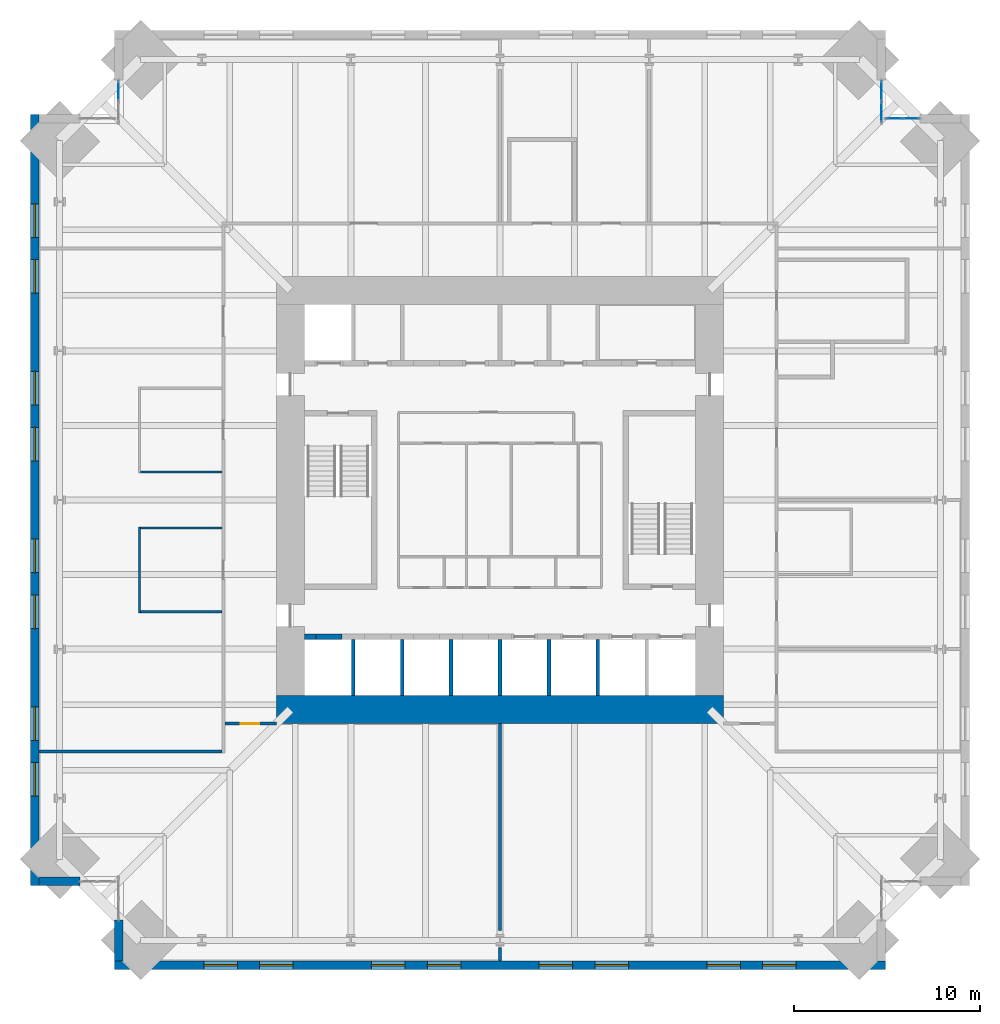
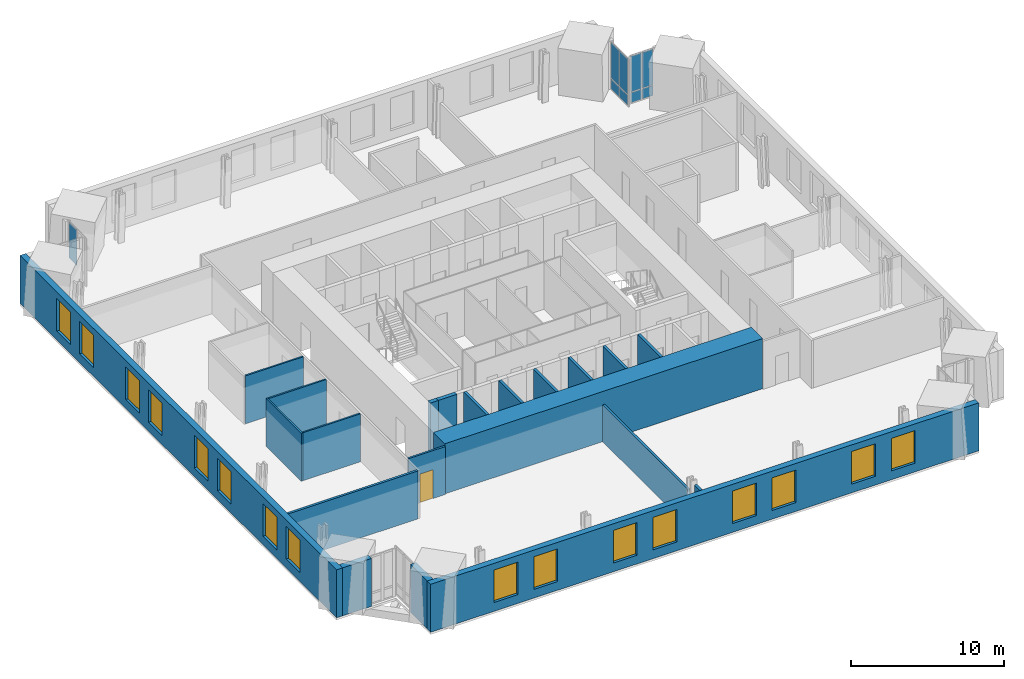
# One storey, part 10 of 15: 21 walls, 16 windows, 9 plates, 1 door, 17 openings, 3 elements without a shape of their own.
"""IFC4 building model written with IfcOpenShell, lengths in metres."""

from ifc_helpers import new_model, si_unit, direction, frame, frame_2d, origin, origin_2d, place, context, subcontext, project, spatial, rectangle, extrude, material, layer, layer_set, type_object, element, fill, aggregate, save


model = new_model("IFC4")

# Units and contexts
model_context = context("Model", 3, precision=1e-05, world=origin(), true_north=direction((0.0, 1.0)))
body_context = subcontext(model_context, "Body", "Model", "MODEL_VIEW")
ifc_project = project(units=[si_unit("LENGTHUNIT", "METRE"), si_unit("AREAUNIT", "SQUARE_METRE"), si_unit("VOLUMEUNIT", "CUBIC_METRE"), si_unit("PLANEANGLEUNIT", "RADIAN"), si_unit("MASSUNIT", "GRAM", prefix="KILO")], contexts=[model_context])

# Site, building, storey
site_placement = place(None, origin())
site = spatial("IfcSite", under=ifc_project, at=site_placement, CompositionType="ELEMENT")
building_placement = place(site_placement, origin())
building = spatial("IfcBuilding", under=site, at=building_placement, Name="Peilmerk Tower", CompositionType="ELEMENT")
storey_placement = place(building_placement, frame((0.0, 0.0, 179.800048828125)))
storey = spatial("IfcBuildingStorey", under=building, at=storey_placement, Name="L38", CompositionType="ELEMENT", Elevation=179.800048828125)

# Curtain wall, plates
ifc_material_1 = material(Name="Aluminium stick curtain wall", Category="aluminium")
curtain_wall_type = type_object("IfcCurtainWallType", Name="CW3 stick curtain wall, 2250 module", PredefinedType="NOTDEFINED", material=ifc_material_1)
curtain_wall_1_placement = place(storey_placement, origin())
curtain_wall_1 = element("IfcCurtainWall", 1, at=curtain_wall_1_placement, inside=storey, type_object=curtain_wall_type, Name="Curtain wall CW3 NEA L38", PredefinedType="NOTDEFINED")
ifc_material_2 = material(Name="Clear insulated glazing unit", Category="glass")
ifc_layer_1 = layer(ifc_material_2, 0.028076171875)
ifc_layer_set_1 = layer_set([ifc_layer_1], Name="Clear insulated glazing unit")
plate_type = type_object("IfcPlateType", Name="CW3-P 28 glazed panel", PredefinedType="CURTAIN_PANEL", material=ifc_layer_set_1)
plate_1_placement = place(storey_placement, frame((20.47509765625, 20.83837890625, 0.06494140625), z_axis=(0.0, 0.0, 1.0), x_axis=(0.0, 1.0, 0.0)))
plate_1 = element("IfcPlate", 2, at=plate_1_placement, type_object=plate_type, Name="CW3 panel 1.1", PredefinedType="CURTAIN_PANEL", context=body_context, shape_type="SweptSolid", body=[
    extrude(rectangle(XDim=1.046875, YDim=0.028076171875, at=origin_2d()), origin(), (0.0, 0.0, 1.0), 0.802490234375),
])
plate_2_placement = place(storey_placement, frame((20.47509765625, 20.83837890625, 0.932373046875), z_axis=(0.0, 0.0, 1.0), x_axis=(0.0, 1.0, 0.0)))
plate_2 = element("IfcPlate", 3, at=plate_2_placement, type_object=plate_type, Name="CW3 panel 1.2", PredefinedType="CURTAIN_PANEL", context=body_context, shape_type="SweptSolid", body=[
    extrude(rectangle(XDim=1.046875, YDim=0.028076171875, at=origin_2d()), origin(), (0.0, 0.0, 1.0), 2.83251953125),
])
plate_3_placement = place(storey_placement, frame((20.47509765625, 21.9501953125, 0.06494140625), z_axis=(0.0, 0.0, 1.0), x_axis=(0.0, 1.0, 0.0)))
plate_3 = element("IfcPlate", 4, at=plate_3_placement, type_object=plate_type, Name="CW3 panel 2.1", PredefinedType="CURTAIN_PANEL", context=body_context, shape_type="SweptSolid", body=[
    extrude(rectangle(XDim=1.046875, YDim=0.028076171875, at=origin_2d()), origin(), (0.0, 0.0, 1.0), 0.802490234375),
])
plate_4_placement = place(storey_placement, frame((20.47509765625, 21.9501953125, 0.932373046875), z_axis=(0.0, 0.0, 1.0), x_axis=(0.0, 1.0, 0.0)))
plate_4 = element("IfcPlate", 5, at=plate_4_placement, type_object=plate_type, Name="CW3 panel 2.2", PredefinedType="CURTAIN_PANEL", context=body_context, shape_type="SweptSolid", body=[
    extrude(rectangle(XDim=1.046875, YDim=0.028076171875, at=origin_2d()), origin(), (0.0, 0.0, 1.0), 2.83251953125),
])
aggregate(curtain_wall_1, [plate_1, plate_2, plate_3, plate_4])

curtain_wall_2_placement = place(storey_placement, origin())
curtain_wall_2 = element("IfcCurtainWall", 6, at=curtain_wall_2_placement, inside=storey, type_object=curtain_wall_type, Name="Curtain wall CW3 NEB L38", PredefinedType="NOTDEFINED")
plate_5_placement = place(storey_placement, frame((21.176025390625, 20.47509765625, 0.06494140625), z_axis=(0.0, 0.0, 1.0), x_axis=(1.0, 0.0, 0.0)))
plate_5 = element("IfcPlate", 7, at=plate_5_placement, type_object=plate_type, Name="CW3 panel 1.1", PredefinedType="CURTAIN_PANEL", context=body_context, shape_type="SweptSolid", body=[
    extrude(rectangle(XDim=0.82177734375, YDim=0.028076171875, at=origin_2d()), origin(), (0.0, 0.0, 1.0), 0.802490234375),
])
plate_6_placement = place(storey_placement, frame((21.176025390625, 20.47509765625, 0.932373046875), z_axis=(0.0, 0.0, 1.0), x_axis=(1.0, 0.0, 0.0)))
plate_6 = element("IfcPlate", 8, at=plate_6_placement, type_object=plate_type, Name="CW3 panel 1.2", PredefinedType="CURTAIN_PANEL", context=body_context, shape_type="SweptSolid", body=[
    extrude(rectangle(XDim=0.82177734375, YDim=0.028076171875, at=origin_2d()), origin(), (0.0, 0.0, 1.0), 2.83251953125),
])
plate_7_placement = place(storey_placement, frame((22.062744140625, 20.47509765625, 0.06494140625), z_axis=(0.0, 0.0, 1.0), x_axis=(1.0, 0.0, 0.0)))
plate_7 = element("IfcPlate", 9, at=plate_7_placement, type_object=plate_type, Name="CW3 panel 2.1", PredefinedType="CURTAIN_PANEL", context=body_context, shape_type="SweptSolid", body=[
    extrude(rectangle(XDim=0.82177734375, YDim=0.028076171875, at=origin_2d()), origin(), (0.0, 0.0, 1.0), 0.802490234375),
])
plate_8_placement = place(storey_placement, frame((22.062744140625, 20.47509765625, 0.932373046875), z_axis=(0.0, 0.0, 1.0), x_axis=(1.0, 0.0, 0.0)))
plate_8 = element("IfcPlate", 10, at=plate_8_placement, type_object=plate_type, Name="CW3 panel 2.2", PredefinedType="CURTAIN_PANEL", context=body_context, shape_type="SweptSolid", body=[
    extrude(rectangle(XDim=0.82177734375, YDim=0.028076171875, at=origin_2d()), origin(), (0.0, 0.0, 1.0), 2.83251953125),
])
aggregate(curtain_wall_2, [plate_5, plate_6, plate_7, plate_8])

# Curtain wall, plate
curtain_wall_3_placement = place(storey_placement, origin())
curtain_wall_3 = element("IfcCurtainWall", 11, at=curtain_wall_3_placement, inside=storey, type_object=curtain_wall_type, Name="Curtain wall CW3 NWA L38", PredefinedType="NOTDEFINED")
plate_9_placement = place(storey_placement, frame((-20.47509765625, 21.9501953125, 0.932373046875), z_axis=(0.0, 0.0, 1.0), x_axis=(0.0, 1.0, 0.0)))
plate_9 = element("IfcPlate", 12, at=plate_9_placement, type_object=plate_type, Name="CW3 panel 2.2", PredefinedType="CURTAIN_PANEL", context=body_context, shape_type="SweptSolid", body=[
    extrude(rectangle(XDim=1.046875, YDim=0.028076171875, at=origin_2d()), origin(), (0.0, 0.0, 1.0), 2.83251953125),
])
aggregate(curtain_wall_3, [plate_9])

# Wall, openings, windows
ifc_material_3 = material(Name="Precast concrete C45/55, board-marked finish", Category="concrete")
ifc_layer_2 = layer(ifc_material_3, 0.449951171875)
ifc_layer_set_2 = layer_set([ifc_layer_2], Name="Precast concrete C45/55, board-marked finish")
wall_type_1 = type_object("IfcWallType", Name="EW1 450 precast concrete facade wall, board-marked", PredefinedType="SOLIDWALL", material=ifc_layer_set_2)
wall_1_placement = place(storey_placement, frame((-20.699951171875, -24.97509765625, 0.0), z_axis=(0.0, 0.0, 1.0), x_axis=(1.0, 0.0, 0.0)))
wall_1 = element("IfcWall", 13, at=wall_1_placement, inside=storey, type_object=wall_type_1, Name="Facade wall S L38", PredefinedType="SOLIDWALL", context=body_context, shape_type="SweptSolid", body=[
    extrude(rectangle(XDim=41.39990234375, YDim=0.449951171875, at=frame_2d((20.699951171875, 0.0))), origin(), (0.0, 0.0, 1.0), 3.829833984375),
])
opening_1_placement = place(wall_1_placement, frame((4.800048828125, 0.0, 0.699951171875)))
opening_1 = element("IfcOpeningElement", 14, at=opening_1_placement, cuts=wall_1, Name="Opening W1", PredefinedType="OPENING", context=body_context, shape_type="SweptSolid", body=[
    extrude(rectangle(XDim=1.800048828125, YDim=2.60009765625, at=frame_2d((0.89990234375, 1.300048828125))), frame((0.0, 0.23486328125, 0.0), z_axis=(0.0, -1.0, 0.0), x_axis=(1.0, 0.0, 0.0)), (0.0, 0.0, 1.0), 0.469970703125),
])
opening_2_placement = place(wall_1_placement, frame((7.800048828125, 0.0, 0.699951171875)))
opening_2 = element("IfcOpeningElement", 15, at=opening_2_placement, cuts=wall_1, Name="Opening W1", PredefinedType="OPENING", context=body_context, shape_type="SweptSolid", body=[
    extrude(rectangle(XDim=1.800048828125, YDim=2.60009765625, at=frame_2d((0.89990234375, 1.300048828125))), frame((0.0, 0.23486328125, 0.0), z_axis=(0.0, -1.0, 0.0), x_axis=(1.0, 0.0, 0.0)), (0.0, 0.0, 1.0), 0.469970703125),
])
opening_3_placement = place(wall_1_placement, frame((13.800048828125, 0.0, 0.699951171875)))
opening_3 = element("IfcOpeningElement", 16, at=opening_3_placement, cuts=wall_1, Name="Opening W1", PredefinedType="OPENING", context=body_context, shape_type="SweptSolid", body=[
    extrude(rectangle(XDim=1.800048828125, YDim=2.60009765625, at=frame_2d((0.89990234375, 1.300048828125))), frame((0.0, 0.23486328125, 0.0), z_axis=(0.0, -1.0, 0.0), x_axis=(1.0, 0.0, 0.0)), (0.0, 0.0, 1.0), 0.469970703125),
])
opening_4_placement = place(wall_1_placement, frame((16.800048828125, 0.0, 0.699951171875)))
opening_4 = element("IfcOpeningElement", 17, at=opening_4_placement, cuts=wall_1, Name="Opening W1", PredefinedType="OPENING", context=body_context, shape_type="SweptSolid", body=[
    extrude(rectangle(XDim=1.800048828125, YDim=2.60009765625, at=frame_2d((0.89990234375, 1.300048828125))), frame((0.0, 0.23486328125, 0.0), z_axis=(0.0, -1.0, 0.0), x_axis=(1.0, 0.0, 0.0)), (0.0, 0.0, 1.0), 0.469970703125),
])
opening_5_placement = place(wall_1_placement, frame((22.800048828125, 0.0, 0.699951171875)))
opening_5 = element("IfcOpeningElement", 18, at=opening_5_placement, cuts=wall_1, Name="Opening W1", PredefinedType="OPENING", context=body_context, shape_type="SweptSolid", body=[
    extrude(rectangle(XDim=1.800048828125, YDim=2.60009765625, at=frame_2d((0.89990234375, 1.300048828125))), frame((0.0, 0.23486328125, 0.0), z_axis=(0.0, -1.0, 0.0), x_axis=(1.0, 0.0, 0.0)), (0.0, 0.0, 1.0), 0.469970703125),
])
opening_6_placement = place(wall_1_placement, frame((25.800048828125, 0.0, 0.699951171875)))
opening_6 = element("IfcOpeningElement", 19, at=opening_6_placement, cuts=wall_1, Name="Opening W1", PredefinedType="OPENING", context=body_context, shape_type="SweptSolid", body=[
    extrude(rectangle(XDim=1.800048828125, YDim=2.60009765625, at=frame_2d((0.89990234375, 1.300048828125))), frame((0.0, 0.23486328125, 0.0), z_axis=(0.0, -1.0, 0.0), x_axis=(1.0, 0.0, 0.0)), (0.0, 0.0, 1.0), 0.469970703125),
])
opening_7_placement = place(wall_1_placement, frame((31.800048828125, 0.0, 0.699951171875)))
opening_7 = element("IfcOpeningElement", 20, at=opening_7_placement, cuts=wall_1, Name="Opening W1", PredefinedType="OPENING", context=body_context, shape_type="SweptSolid", body=[
    extrude(rectangle(XDim=1.800048828125, YDim=2.60009765625, at=frame_2d((0.89990234375, 1.300048828125))), frame((0.0, 0.23486328125, 0.0), z_axis=(0.0, -1.0, 0.0), x_axis=(1.0, 0.0, 0.0)), (0.0, 0.0, 1.0), 0.469970703125),
])
opening_8_placement = place(wall_1_placement, frame((34.800048828125, 0.0, 0.699951171875)))
opening_8 = element("IfcOpeningElement", 21, at=opening_8_placement, cuts=wall_1, Name="Opening W1", PredefinedType="OPENING", context=body_context, shape_type="SweptSolid", body=[
    extrude(rectangle(XDim=1.800048828125, YDim=2.60009765625, at=frame_2d((0.89990234375, 1.300048828125))), frame((0.0, 0.23486328125, 0.0), z_axis=(0.0, -1.0, 0.0), x_axis=(1.0, 0.0, 0.0)), (0.0, 0.0, 1.0), 0.469970703125),
])
ifc_material_4 = material(Name="Aluminium frame, clear double glazing", Category="aluminium")
window_type = type_object("IfcWindowType", Name="W1 1800x2600 office window", PartitioningType="SINGLE_PANEL", PredefinedType="WINDOW", material=ifc_material_4)
window_1_placement = place(opening_1_placement, origin())
window_1 = element("IfcWindow", 22, at=window_1_placement, inside=storey, type_object=window_type, Name="Window W1 L38", OverallHeight=2.60009765625, OverallWidth=1.800048828125, PartitioningType="SINGLE_PANEL", PredefinedType="WINDOW", context=body_context, shape_type="SweptSolid", body=[
    extrude(rectangle(XDim=1.800048828125, YDim=2.60009765625, at=frame_2d((0.89990234375, 1.300048828125))), frame((0.0, 0.030029296875, 0.0), z_axis=(0.0, -1.0, 0.0), x_axis=(1.0, 0.0, 0.0)), (0.0, 0.0, 1.0), 0.06005859375),
])
fill(opening_1, window_1)
window_2_placement = place(opening_2_placement, origin())
window_2 = element("IfcWindow", 23, at=window_2_placement, inside=storey, type_object=window_type, Name="Window W1 L38", OverallHeight=2.60009765625, OverallWidth=1.800048828125, PartitioningType="SINGLE_PANEL", PredefinedType="WINDOW", context=body_context, shape_type="SweptSolid", body=[
    extrude(rectangle(XDim=1.800048828125, YDim=2.60009765625, at=frame_2d((0.89990234375, 1.300048828125))), frame((0.0, 0.030029296875, 0.0), z_axis=(0.0, -1.0, 0.0), x_axis=(1.0, 0.0, 0.0)), (0.0, 0.0, 1.0), 0.06005859375),
])
fill(opening_2, window_2)
window_3_placement = place(opening_3_placement, origin())
window_3 = element("IfcWindow", 24, at=window_3_placement, inside=storey, type_object=window_type, Name="Window W1 L38", OverallHeight=2.60009765625, OverallWidth=1.800048828125, PartitioningType="SINGLE_PANEL", PredefinedType="WINDOW", context=body_context, shape_type="SweptSolid", body=[
    extrude(rectangle(XDim=1.800048828125, YDim=2.60009765625, at=frame_2d((0.89990234375, 1.300048828125))), frame((0.0, 0.030029296875, 0.0), z_axis=(0.0, -1.0, 0.0), x_axis=(1.0, 0.0, 0.0)), (0.0, 0.0, 1.0), 0.06005859375),
])
fill(opening_3, window_3)
window_4_placement = place(opening_4_placement, origin())
window_4 = element("IfcWindow", 25, at=window_4_placement, inside=storey, type_object=window_type, Name="Window W1 L38", OverallHeight=2.60009765625, OverallWidth=1.800048828125, PartitioningType="SINGLE_PANEL", PredefinedType="WINDOW", context=body_context, shape_type="SweptSolid", body=[
    extrude(rectangle(XDim=1.800048828125, YDim=2.60009765625, at=frame_2d((0.89990234375, 1.300048828125))), frame((0.0, 0.030029296875, 0.0), z_axis=(0.0, -1.0, 0.0), x_axis=(1.0, 0.0, 0.0)), (0.0, 0.0, 1.0), 0.06005859375),
])
fill(opening_4, window_4)
window_5_placement = place(opening_5_placement, origin())
window_5 = element("IfcWindow", 26, at=window_5_placement, inside=storey, type_object=window_type, Name="Window W1 L38", OverallHeight=2.60009765625, OverallWidth=1.800048828125, PartitioningType="SINGLE_PANEL", PredefinedType="WINDOW", context=body_context, shape_type="SweptSolid", body=[
    extrude(rectangle(XDim=1.800048828125, YDim=2.60009765625, at=frame_2d((0.89990234375, 1.300048828125))), frame((0.0, 0.030029296875, 0.0), z_axis=(0.0, -1.0, 0.0), x_axis=(1.0, 0.0, 0.0)), (0.0, 0.0, 1.0), 0.06005859375),
])
fill(opening_5, window_5)
window_6_placement = place(opening_6_placement, origin())
window_6 = element("IfcWindow", 27, at=window_6_placement, inside=storey, type_object=window_type, Name="Window W1 L38", OverallHeight=2.60009765625, OverallWidth=1.800048828125, PartitioningType="SINGLE_PANEL", PredefinedType="WINDOW", context=body_context, shape_type="SweptSolid", body=[
    extrude(rectangle(XDim=1.800048828125, YDim=2.60009765625, at=frame_2d((0.89990234375, 1.300048828125))), frame((0.0, 0.030029296875, 0.0), z_axis=(0.0, -1.0, 0.0), x_axis=(1.0, 0.0, 0.0)), (0.0, 0.0, 1.0), 0.06005859375),
])
fill(opening_6, window_6)
window_7_placement = place(opening_7_placement, origin())
window_7 = element("IfcWindow", 28, at=window_7_placement, inside=storey, type_object=window_type, Name="Window W1 L38", OverallHeight=2.60009765625, OverallWidth=1.800048828125, PartitioningType="SINGLE_PANEL", PredefinedType="WINDOW", context=body_context, shape_type="SweptSolid", body=[
    extrude(rectangle(XDim=1.800048828125, YDim=2.60009765625, at=frame_2d((0.89990234375, 1.300048828125))), frame((0.0, 0.030029296875, 0.0), z_axis=(0.0, -1.0, 0.0), x_axis=(1.0, 0.0, 0.0)), (0.0, 0.0, 1.0), 0.06005859375),
])
fill(opening_7, window_7)
window_8_placement = place(opening_8_placement, origin())
window_8 = element("IfcWindow", 29, at=window_8_placement, inside=storey, type_object=window_type, Name="Window W1 L38", OverallHeight=2.60009765625, OverallWidth=1.800048828125, PartitioningType="SINGLE_PANEL", PredefinedType="WINDOW", context=body_context, shape_type="SweptSolid", body=[
    extrude(rectangle(XDim=1.800048828125, YDim=2.60009765625, at=frame_2d((0.89990234375, 1.300048828125))), frame((0.0, 0.030029296875, 0.0), z_axis=(0.0, -1.0, 0.0), x_axis=(1.0, 0.0, 0.0)), (0.0, 0.0, 1.0), 0.06005859375),
])
fill(opening_8, window_8)

wall_2_placement = place(storey_placement, frame((-24.97509765625, 20.699951171875, 0.0), z_axis=(0.0, 0.0, 1.0), x_axis=(0.0, -1.0, 0.0)))
wall_2 = element("IfcWall", 30, at=wall_2_placement, inside=storey, type_object=wall_type_1, Name="Facade wall W L38", PredefinedType="SOLIDWALL", context=body_context, shape_type="SweptSolid", body=[
    extrude(rectangle(XDim=41.39990234375, YDim=0.449951171875, at=frame_2d((20.699951171875, 0.0))), origin(), (0.0, 0.0, 1.0), 3.829833984375),
])
opening_9_placement = place(wall_2_placement, frame((4.800048828125, 0.0, 0.699951171875)))
opening_9 = element("IfcOpeningElement", 31, at=opening_9_placement, cuts=wall_2, Name="Opening W1", PredefinedType="OPENING", context=body_context, shape_type="SweptSolid", body=[
    extrude(rectangle(XDim=1.800048828125, YDim=2.60009765625, at=frame_2d((0.89990234375, 1.300048828125))), frame((0.0, 0.23486328125, 0.0), z_axis=(0.0, -1.0, 0.0), x_axis=(1.0, 0.0, 0.0)), (0.0, 0.0, 1.0), 0.469970703125),
])
opening_10_placement = place(wall_2_placement, frame((7.800048828125, 0.0, 0.699951171875)))
opening_10 = element("IfcOpeningElement", 32, at=opening_10_placement, cuts=wall_2, Name="Opening W1", PredefinedType="OPENING", context=body_context, shape_type="SweptSolid", body=[
    extrude(rectangle(XDim=1.800048828125, YDim=2.60009765625, at=frame_2d((0.89990234375, 1.300048828125))), frame((0.0, 0.23486328125, 0.0), z_axis=(0.0, -1.0, 0.0), x_axis=(1.0, 0.0, 0.0)), (0.0, 0.0, 1.0), 0.469970703125),
])
opening_11_placement = place(wall_2_placement, frame((13.800048828125, 0.0, 0.699951171875)))
opening_11 = element("IfcOpeningElement", 33, at=opening_11_placement, cuts=wall_2, Name="Opening W1", PredefinedType="OPENING", context=body_context, shape_type="SweptSolid", body=[
    extrude(rectangle(XDim=1.800048828125, YDim=2.60009765625, at=frame_2d((0.89990234375, 1.300048828125))), frame((0.0, 0.23486328125, 0.0), z_axis=(0.0, -1.0, 0.0), x_axis=(1.0, 0.0, 0.0)), (0.0, 0.0, 1.0), 0.469970703125),
])
opening_12_placement = place(wall_2_placement, frame((16.800048828125, 0.0, 0.699951171875)))
opening_12 = element("IfcOpeningElement", 34, at=opening_12_placement, cuts=wall_2, Name="Opening W1", PredefinedType="OPENING", context=body_context, shape_type="SweptSolid", body=[
    extrude(rectangle(XDim=1.800048828125, YDim=2.60009765625, at=frame_2d((0.89990234375, 1.300048828125))), frame((0.0, 0.23486328125, 0.0), z_axis=(0.0, -1.0, 0.0), x_axis=(1.0, 0.0, 0.0)), (0.0, 0.0, 1.0), 0.469970703125),
])
opening_13_placement = place(wall_2_placement, frame((22.800048828125, 0.0, 0.699951171875)))
opening_13 = element("IfcOpeningElement", 35, at=opening_13_placement, cuts=wall_2, Name="Opening W1", PredefinedType="OPENING", context=body_context, shape_type="SweptSolid", body=[
    extrude(rectangle(XDim=1.800048828125, YDim=2.60009765625, at=frame_2d((0.89990234375, 1.300048828125))), frame((0.0, 0.23486328125, 0.0), z_axis=(0.0, -1.0, 0.0), x_axis=(1.0, 0.0, 0.0)), (0.0, 0.0, 1.0), 0.469970703125),
])
opening_14_placement = place(wall_2_placement, frame((25.800048828125, 0.0, 0.699951171875)))
opening_14 = element("IfcOpeningElement", 36, at=opening_14_placement, cuts=wall_2, Name="Opening W1", PredefinedType="OPENING", context=body_context, shape_type="SweptSolid", body=[
    extrude(rectangle(XDim=1.800048828125, YDim=2.60009765625, at=frame_2d((0.89990234375, 1.300048828125))), frame((0.0, 0.23486328125, 0.0), z_axis=(0.0, -1.0, 0.0), x_axis=(1.0, 0.0, 0.0)), (0.0, 0.0, 1.0), 0.469970703125),
])
opening_15_placement = place(wall_2_placement, frame((31.800048828125, 0.0, 0.699951171875)))
opening_15 = element("IfcOpeningElement", 37, at=opening_15_placement, cuts=wall_2, Name="Opening W1", PredefinedType="OPENING", context=body_context, shape_type="SweptSolid", body=[
    extrude(rectangle(XDim=1.800048828125, YDim=2.60009765625, at=frame_2d((0.89990234375, 1.300048828125))), frame((0.0, 0.23486328125, 0.0), z_axis=(0.0, -1.0, 0.0), x_axis=(1.0, 0.0, 0.0)), (0.0, 0.0, 1.0), 0.469970703125),
])
opening_16_placement = place(wall_2_placement, frame((34.800048828125, 0.0, 0.699951171875)))
opening_16 = element("IfcOpeningElement", 38, at=opening_16_placement, cuts=wall_2, Name="Opening W1", PredefinedType="OPENING", context=body_context, shape_type="SweptSolid", body=[
    extrude(rectangle(XDim=1.800048828125, YDim=2.60009765625, at=frame_2d((0.89990234375, 1.300048828125))), frame((0.0, 0.23486328125, 0.0), z_axis=(0.0, -1.0, 0.0), x_axis=(1.0, 0.0, 0.0)), (0.0, 0.0, 1.0), 0.469970703125),
])
window_9_placement = place(opening_9_placement, origin())
window_9 = element("IfcWindow", 39, at=window_9_placement, inside=storey, type_object=window_type, Name="Window W1 L38", OverallHeight=2.60009765625, OverallWidth=1.800048828125, PartitioningType="SINGLE_PANEL", PredefinedType="WINDOW", context=body_context, shape_type="SweptSolid", body=[
    extrude(rectangle(XDim=1.800048828125, YDim=2.60009765625, at=frame_2d((0.89990234375, 1.300048828125))), frame((0.0, 0.030029296875, 0.0), z_axis=(0.0, -1.0, 0.0), x_axis=(1.0, 0.0, 0.0)), (0.0, 0.0, 1.0), 0.06005859375),
])
fill(opening_9, window_9)
window_10_placement = place(opening_10_placement, origin())
window_10 = element("IfcWindow", 40, at=window_10_placement, inside=storey, type_object=window_type, Name="Window W1 L38", OverallHeight=2.60009765625, OverallWidth=1.800048828125, PartitioningType="SINGLE_PANEL", PredefinedType="WINDOW", context=body_context, shape_type="SweptSolid", body=[
    extrude(rectangle(XDim=1.800048828125, YDim=2.60009765625, at=frame_2d((0.89990234375, 1.300048828125))), frame((0.0, 0.030029296875, 0.0), z_axis=(0.0, -1.0, 0.0), x_axis=(1.0, 0.0, 0.0)), (0.0, 0.0, 1.0), 0.06005859375),
])
fill(opening_10, window_10)
window_11_placement = place(opening_11_placement, origin())
window_11 = element("IfcWindow", 41, at=window_11_placement, inside=storey, type_object=window_type, Name="Window W1 L38", OverallHeight=2.60009765625, OverallWidth=1.800048828125, PartitioningType="SINGLE_PANEL", PredefinedType="WINDOW", context=body_context, shape_type="SweptSolid", body=[
    extrude(rectangle(XDim=1.800048828125, YDim=2.60009765625, at=frame_2d((0.89990234375, 1.300048828125))), frame((0.0, 0.030029296875, 0.0), z_axis=(0.0, -1.0, 0.0), x_axis=(1.0, 0.0, 0.0)), (0.0, 0.0, 1.0), 0.06005859375),
])
fill(opening_11, window_11)
window_12_placement = place(opening_12_placement, origin())
window_12 = element("IfcWindow", 42, at=window_12_placement, inside=storey, type_object=window_type, Name="Window W1 L38", OverallHeight=2.60009765625, OverallWidth=1.800048828125, PartitioningType="SINGLE_PANEL", PredefinedType="WINDOW", context=body_context, shape_type="SweptSolid", body=[
    extrude(rectangle(XDim=1.800048828125, YDim=2.60009765625, at=frame_2d((0.89990234375, 1.300048828125))), frame((0.0, 0.030029296875, 0.0), z_axis=(0.0, -1.0, 0.0), x_axis=(1.0, 0.0, 0.0)), (0.0, 0.0, 1.0), 0.06005859375),
])
fill(opening_12, window_12)
window_13_placement = place(opening_13_placement, origin())
window_13 = element("IfcWindow", 43, at=window_13_placement, inside=storey, type_object=window_type, Name="Window W1 L38", OverallHeight=2.60009765625, OverallWidth=1.800048828125, PartitioningType="SINGLE_PANEL", PredefinedType="WINDOW", context=body_context, shape_type="SweptSolid", body=[
    extrude(rectangle(XDim=1.800048828125, YDim=2.60009765625, at=frame_2d((0.89990234375, 1.300048828125))), frame((0.0, 0.030029296875, 0.0), z_axis=(0.0, -1.0, 0.0), x_axis=(1.0, 0.0, 0.0)), (0.0, 0.0, 1.0), 0.06005859375),
])
fill(opening_13, window_13)
window_14_placement = place(opening_14_placement, origin())
window_14 = element("IfcWindow", 44, at=window_14_placement, inside=storey, type_object=window_type, Name="Window W1 L38", OverallHeight=2.60009765625, OverallWidth=1.800048828125, PartitioningType="SINGLE_PANEL", PredefinedType="WINDOW", context=body_context, shape_type="SweptSolid", body=[
    extrude(rectangle(XDim=1.800048828125, YDim=2.60009765625, at=frame_2d((0.89990234375, 1.300048828125))), frame((0.0, 0.030029296875, 0.0), z_axis=(0.0, -1.0, 0.0), x_axis=(1.0, 0.0, 0.0)), (0.0, 0.0, 1.0), 0.06005859375),
])
fill(opening_14, window_14)
window_15_placement = place(opening_15_placement, origin())
window_15 = element("IfcWindow", 45, at=window_15_placement, inside=storey, type_object=window_type, Name="Window W1 L38", OverallHeight=2.60009765625, OverallWidth=1.800048828125, PartitioningType="SINGLE_PANEL", PredefinedType="WINDOW", context=body_context, shape_type="SweptSolid", body=[
    extrude(rectangle(XDim=1.800048828125, YDim=2.60009765625, at=frame_2d((0.89990234375, 1.300048828125))), frame((0.0, 0.030029296875, 0.0), z_axis=(0.0, -1.0, 0.0), x_axis=(1.0, 0.0, 0.0)), (0.0, 0.0, 1.0), 0.06005859375),
])
fill(opening_15, window_15)
window_16_placement = place(opening_16_placement, origin())
window_16 = element("IfcWindow", 46, at=window_16_placement, inside=storey, type_object=window_type, Name="Window W1 L38", OverallHeight=2.60009765625, OverallWidth=1.800048828125, PartitioningType="SINGLE_PANEL", PredefinedType="WINDOW", context=body_context, shape_type="SweptSolid", body=[
    extrude(rectangle(XDim=1.800048828125, YDim=2.60009765625, at=frame_2d((0.89990234375, 1.300048828125))), frame((0.0, 0.030029296875, 0.0), z_axis=(0.0, -1.0, 0.0), x_axis=(1.0, 0.0, 0.0)), (0.0, 0.0, 1.0), 0.06005859375),
])
fill(opening_16, window_16)

# Walls
for number, where, z_axis, x_axis, name in (
    (47, (-20.47509765625, -22.5537109375, 0.0), (0.0, 0.0, 1.0), (0.0, -1.0, 0.0), "Facade wall SWA L38"),
    (48, (-22.5537109375, -20.47509765625, 0.0), (0.0, 0.0, 1.0), (-1.0, 0.0, 0.0), "Facade wall SWB L38"),
):
    element("IfcWall", number, at=place(storey_placement, frame(where, z_axis=z_axis, x_axis=x_axis)), inside=storey, type_object=wall_type_1, Name=name, PredefinedType="SOLIDWALL", context=body_context, shape_type="SweptSolid", body=[
        extrude(rectangle(XDim=2.1962890625, YDim=0.449951171875, at=frame_2d((1.09814453125, 0.0))), origin(), (0.0, 0.0, 1.0), 3.829833984375),
    ])

# Wall, opening, door
ifc_material_5 = material(Name="Calcium silicate block", Category="masonry")
ifc_layer_3 = layer(ifc_material_5, 0.14990234375)
ifc_layer_set_3 = layer_set([ifc_layer_3], Name="Calcium silicate block")
wall_type_2 = type_object("IfcWallType", Name="IW1 150 corridor partition, EI 60", PredefinedType="PARTITIONING", material=ifc_layer_set_3)
wall_3_placement = place(storey_placement, frame((-12.0, -12.0, 0.0), z_axis=(0.0, 0.0, 1.0), x_axis=(-1.0, 0.0, 0.0)))
wall_3 = element("IfcWall", 49, at=wall_3_placement, inside=storey, type_object=wall_type_2, Name="Corridor wall SW L38", PredefinedType="PARTITIONING", context=body_context, shape_type="SweptSolid", body=[
    extrude(rectangle(XDim=2.77490234375, YDim=0.14990234375, at=frame_2d((1.387451171875, 0.0))), origin(), (0.0, 0.0, 1.0), 3.829833984375),
])
opening_17_placement = place(wall_3_placement, frame((0.925048828125, 0.0, 0.0)))
opening_17 = element("IfcOpeningElement", 50, at=opening_17_placement, cuts=wall_3, Name="Opening D1", PredefinedType="OPENING", context=body_context, shape_type="SweptSolid", body=[
    extrude(rectangle(XDim=1.0, YDim=2.300048828125, at=frame_2d((0.5, 1.14990234375))), frame((0.0, 0.0849609375, 0.0), z_axis=(0.0, -1.0, 0.0), x_axis=(1.0, 0.0, 0.0)), (0.0, 0.0, 1.0), 0.169921875),
])
ifc_material_6 = material(Name="Timber door in steel frame", Category="steel")
door_type = type_object("IfcDoorType", Name="D1 1000x2300 room door, EI2 30", OperationType="SINGLE_SWING_LEFT", PredefinedType="DOOR", material=ifc_material_6)
door_placement = place(opening_17_placement, origin())
door = element("IfcDoor", 51, at=door_placement, inside=storey, type_object=door_type, Name="Door Library L38", OperationType="SINGLE_SWING_LEFT", OverallHeight=2.300048828125, OverallWidth=1.0, PredefinedType="DOOR", context=body_context, shape_type="SweptSolid", body=[
    extrude(rectangle(XDim=1.0, YDim=2.300048828125, at=frame_2d((0.5, 1.14990234375))), frame((0.0, 0.02490234375, 0.0), z_axis=(0.0, -1.0, 0.0), x_axis=(1.0, 0.0, 0.0)), (0.0, 0.0, 1.0), 0.050048828125),
])
fill(opening_17, door)

# Walls
ifc_material_7 = material(Name="Plasterboard on steel studs, double boarded with mineral wool", Category="steel")
ifc_layer_4 = layer(ifc_material_7, 0.125)
ifc_layer_set_4 = layer_set([ifc_layer_4], Name="Plasterboard on steel studs, double boarded with mineral wool")
wall_type_3 = type_object("IfcWallType", Name="IW7 125 acoustic partition, EI 30", PredefinedType="PARTITIONING", material=ifc_layer_set_4)
wall_4_placement = place(storey_placement, frame((-19.35009765625, -6.0625, 0.0), z_axis=(0.0, 0.0, 1.0), x_axis=(0.0, 1.0, 0.0)))
element("IfcWall", 52, at=wall_4_placement, inside=storey, type_object=wall_type_3, Name="Acoustic partition Meeting room L38", PredefinedType="PARTITIONING", context=body_context, shape_type="SweptSolid", body=[
    extrude(rectangle(XDim=4.625, YDim=0.125, at=frame_2d((2.3125, 0.0))), origin(), (0.0, 0.0, 1.0), 3.829833984375),
])
for number, where, z_axis, x_axis, name in (
    (53, (-14.925048828125, -6.0, 0.0), (0.0, 0.0, 1.0), (-1.0, 0.0, 0.0), "Acoustic partition Meeting room L38"),
    (54, (-14.925048828125, -1.5, 0.0), (0.0, 0.0, 1.0), (-1.0, 0.0, 0.0), "Acoustic partition Meeting room L38"),
    (55, (-14.925048828125, 1.5, 0.0), (0.0, 0.0, 1.0), (-1.0, 0.0, 0.0), "Acoustic partition Focus room L38"),
):
    element("IfcWall", number, at=place(storey_placement, frame(where, z_axis=z_axis, x_axis=x_axis)), inside=storey, type_object=wall_type_3, Name=name, PredefinedType="PARTITIONING", context=body_context, shape_type="SweptSolid", body=[
        extrude(rectangle(XDim=4.362548828125, YDim=0.125, at=frame_2d((2.18115234375, 0.0))), origin(), (0.0, 0.0, 1.0), 3.829833984375),
    ])
ifc_layer_5 = layer(ifc_material_5, 0.175048828125)
ifc_layer_set_5 = layer_set([ifc_layer_5], Name="Calcium silicate block")
wall_type_4 = type_object("IfcWallType", Name="IW8 175 tenant separating wall, EI 60", PredefinedType="PARTITIONING", material=ifc_layer_set_5)
wall_5_placement = place(storey_placement, frame((-14.925048828125, -13.5, 0.0), z_axis=(0.0, 0.0, 1.0), x_axis=(-1.0, 0.0, 0.0)))
element("IfcWall", 56, at=wall_5_placement, inside=storey, type_object=wall_type_4, Name="Tenant separating wall SW L38", PredefinedType="PARTITIONING", context=body_context, shape_type="SweptSolid", body=[
    extrude(rectangle(XDim=9.824951171875, YDim=0.175048828125, at=frame_2d((4.91259765625, 0.0))), origin(), (0.0, 0.0, 1.0), 3.829833984375),
])
wall_6_placement = place(storey_placement, frame((0.0, -12.0, 0.0), z_axis=(0.0, 0.0, 1.0), x_axis=(0.0, -1.0, 0.0)))
element("IfcWall", 57, at=wall_6_placement, inside=storey, type_object=wall_type_4, Name="Tenant separating wall S1 L38", PredefinedType="PARTITIONING", context=body_context, shape_type="SweptSolid", body=[
    extrude(rectangle(XDim=11.12158203125, YDim=0.175048828125, at=frame_2d((5.560791015625, 0.0))), origin(), (0.0, 0.0, 1.0), 2.93994140625),
])
wall_7_placement = place(storey_placement, frame((0.0, -24.0107421875, 0.0), z_axis=(0.0, 0.0, 1.0), x_axis=(0.0, -1.0, 0.0)))
element("IfcWall", 58, at=wall_7_placement, inside=storey, type_object=wall_type_4, Name="Tenant separating wall S1b L38", PredefinedType="PARTITIONING", context=body_context, shape_type="SweptSolid", body=[
    extrude(rectangle(XDim=0.7392578125, YDim=0.175048828125, at=frame_2d((0.36962890625, 0.0))), origin(), (0.0, 0.0, 1.0), 3.829833984375),
])
ifc_layer_6 = layer(ifc_material_5, 0.199951171875)
ifc_layer_set_6 = layer_set([ifc_layer_6], Name="Calcium silicate block")
wall_type_5 = type_object("IfcWallType", Name="SH1 200 shaft dividing wall, EI 120", PredefinedType="PARTITIONING", material=ifc_layer_set_6)
for number, where, z_axis, x_axis, name in (
    (59, (-7.875, -10.5, 0.0), (0.0, 0.0, 1.0), (0.0, 1.0, 0.0), "Shaft wall S C4 L38"),
    (60, (-5.25, -10.5, 0.0), (0.0, 0.0, 1.0), (0.0, 1.0, 0.0), "Shaft wall S C3 L38"),
    (61, (-2.625, -10.5, 0.0), (0.0, 0.0, 1.0), (0.0, 1.0, 0.0), "Shaft wall S C2 L38"),
    (62, (0.0, -10.5, 0.0), (0.0, 0.0, 1.0), (0.0, 1.0, 0.0), "Shaft wall S C1 L38"),
    (63, (2.625, -10.5, 0.0), (0.0, 0.0, 1.0), (0.0, 1.0, 0.0), "Shaft wall S B3 L38"),
    (64, (5.25, -10.5, 0.0), (0.0, 0.0, 1.0), (0.0, 1.0, 0.0), "Shaft wall S B2 L38"),
):
    element("IfcWall", number, at=place(storey_placement, frame(where, z_axis=z_axis, x_axis=x_axis)), inside=storey, type_object=wall_type_5, Name=name, PredefinedType="PARTITIONING", context=body_context, shape_type="SweptSolid", body=[
        extrude(rectangle(XDim=3.0, YDim=0.199951171875, at=frame_2d((1.5, 0.0))), origin(), (0.0, 0.0, 1.0), 4.0),
    ])
ifc_layer_7 = layer(ifc_material_5, 0.300048828125)
ifc_layer_set_7 = layer_set([ifc_layer_7], Name="Calcium silicate block")
wall_type_6 = type_object("IfcWallType", Name="SH2 300 lift landing door panel, EI 120", PredefinedType="PARTITIONING", material=ifc_layer_set_7)
wall_8_placement = place(storey_placement, frame((-9.887451171875, -7.35009765625, 0.0), z_axis=(0.0, 0.0, 1.0), x_axis=(1.0, 0.0, 0.0)))
element("IfcWall", 65, at=wall_8_placement, inside=storey, type_object=wall_type_6, Name="Lift door panel S C4 L38", PredefinedType="PARTITIONING", context=body_context, shape_type="SweptSolid", body=[
    extrude(rectangle(XDim=1.39990234375, YDim=0.300048828125, at=frame_2d((0.699951171875, 0.0))), origin(), (0.0, 0.0, 1.0), 4.0),
])
ifc_material_8 = material(Name="Concrete C55/67", Category="concrete")
ifc_layer_8 = layer(ifc_material_8, 1.5)
ifc_layer_set_8 = layer_set([ifc_layer_8], Name="Concrete C55/67")
wall_type_7 = type_object("IfcWallType", Name="SW1 1500 core wall", PredefinedType="SHEAR", material=ifc_layer_set_8)
wall_9_placement = place(storey_placement, frame((12.0, -11.25, 0.0), z_axis=(0.0, 0.0, 1.0), x_axis=(-1.0, 0.0, 0.0)))
element("IfcWall", 66, at=wall_9_placement, inside=storey, type_object=wall_type_7, Name="Core wall S L38", PredefinedType="SHEAR", context=body_context, shape_type="SweptSolid", body=[
    extrude(rectangle(XDim=24.0, YDim=1.5, at=frame_2d((12.0, 0.0))), origin(), (0.0, 0.0, 1.0), 4.0),
])
ifc_layer_9 = layer(ifc_material_8, 0.300048828125)
ifc_layer_set_9 = layer_set([ifc_layer_9], Name="Concrete C55/67")
wall_type_8 = type_object("IfcWallType", Name="SW2 300 lift bank pier", PredefinedType="SHEAR", material=ifc_layer_set_9)
wall_10_placement = place(storey_placement, frame((-10.5, -7.35009765625, 0.0), z_axis=(0.0, 0.0, 1.0), x_axis=(1.0, 0.0, 0.0)))
element("IfcWall", 67, at=wall_10_placement, inside=storey, type_object=wall_type_8, Name="Lift bank pier S L38", PredefinedType="SHEAR", context=body_context, shape_type="SweptSolid", body=[
    extrude(rectangle(XDim=0.612548828125, YDim=0.300048828125, at=frame_2d((0.30615234375, 0.0))), origin(), (0.0, 0.0, 1.0), 4.0),
])

save(model, "model.ifc")
